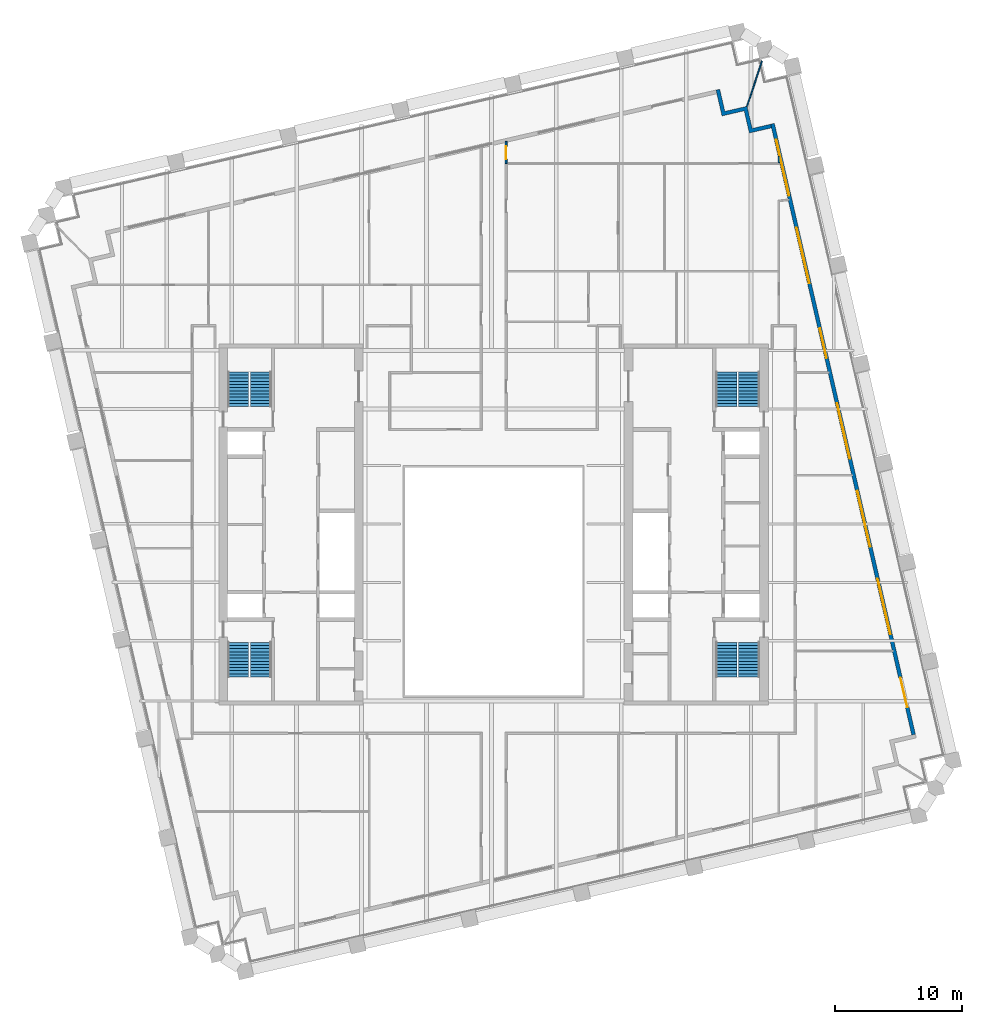
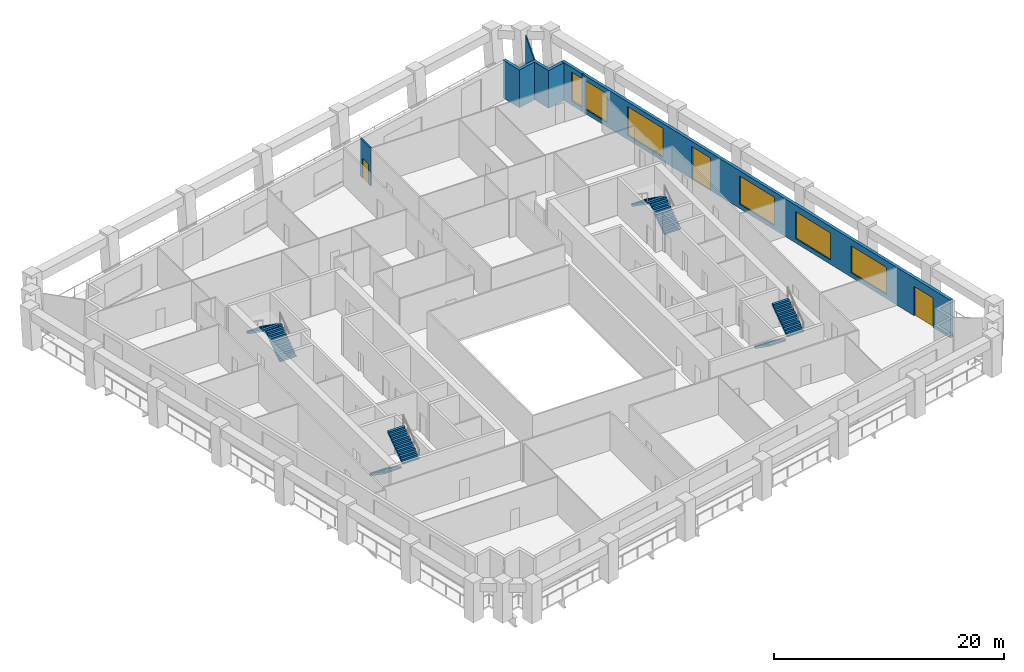
# One storey, part 9 of 11: 8 stair flights, 5 walls, 5 windows, 3 doors, 8 openings, 4 elements without a shape of their own.
"""IFC4 building model written with IfcOpenShell, lengths in metres."""

from ifc_helpers import new_model, si_unit, direction, frame, frame_2d, origin, place, context, subcontext, project, spatial, polyline, rectangle, outline, extrude, material, layer, layer_set, type_object, element, fill, aggregate, save


model = new_model("IFC4")

# Units and contexts
model_context = context("Model", 3, precision=1e-05, world=origin(), true_north=direction((0.0, 1.0)))
body_context = subcontext(model_context, "Body", "Model", "MODEL_VIEW")
ifc_project = project(units=[si_unit("LENGTHUNIT", "METRE"), si_unit("AREAUNIT", "SQUARE_METRE"), si_unit("VOLUMEUNIT", "CUBIC_METRE"), si_unit("PLANEANGLEUNIT", "RADIAN"), si_unit("MASSUNIT", "GRAM", prefix="KILO")], contexts=[model_context])

# Site, building, storey
site_placement = place(None, origin())
site = spatial("IfcSite", under=ifc_project, at=site_placement, CompositionType="ELEMENT")
building_placement = place(site_placement, origin())
building = spatial("IfcBuilding", under=site, at=building_placement, Name="Ogive Exchange Tower", CompositionType="ELEMENT")
storey_placement = place(building_placement, frame((0.0, 0.0, 184.199951171875)))
storey = spatial("IfcBuildingStorey", under=building, at=storey_placement, Name="L40", CompositionType="ELEMENT", Elevation=184.199951171875)

# Wall, opening, door
ifc_material_1 = material(Name="Fire partition EI 60 150")
ifc_layer_1 = layer(ifc_material_1, 0.14990234375)
ifc_layer_set_1 = layer_set([ifc_layer_1], Name="Fire partition EI 60 150")
wall_type_1 = type_object("IfcWallType", Name="Fire partition EI 60 150", PredefinedType="PARTITIONING", material=ifc_layer_set_1)
wall_1_placement = place(storey_placement, frame((0.989990234375, 41.7529296875, 0.0), z_axis=(0.0, 0.0, 1.0), x_axis=(0.0, -1.0, 0.0)))
wall_1 = element("IfcWall", 1, at=wall_1_placement, inside=storey, type_object=wall_type_1, Name="L40-PWL-048", PredefinedType="PARTITIONING", context=body_context, shape_type="SweptSolid", body=[
    extrude(rectangle(XDim=1.7529296875, YDim=0.14990234375, at=frame_2d((0.87646484375, 0.0))), origin(), (0.0, 0.0, 1.0), 4.0),
])
opening_1_placement = place(wall_1_placement, frame((0.403076171875, 0.0, 0.0)))
opening_1 = element("IfcOpeningElement", 2, at=opening_1_placement, cuts=wall_1, Name="Opening L40-I29", PredefinedType="OPENING", context=body_context, shape_type="SweptSolid", body=[
    extrude(rectangle(XDim=1.0, YDim=2.10009765625, at=frame_2d((0.5, 1.050048828125))), frame((0.0, 0.0849609375, 0.0), z_axis=(0.0, -1.0, 0.0), x_axis=(1.0, 0.0, 0.0)), (0.0, 0.0, 1.0), 0.169921875),
])
ifc_material_2 = material(Name="Fire door FD 30S 1000 x 2100")
door_type_1 = type_object("IfcDoorType", Name="Fire door FD 30S 1000 x 2100", OperationType="NOTDEFINED", PredefinedType="DOOR", material=ifc_material_2)
door_1_placement = place(opening_1_placement, origin())
door_1 = element("IfcDoor", 3, at=door_1_placement, inside=storey, type_object=door_type_1, Name="L40-IDR-029", ObjectType="DT3", OperationType="SINGLE_SWING_LEFT", OverallHeight=2.10009765625, OverallWidth=1.0, PredefinedType="DOOR", context=body_context, shape_type="SweptSolid", body=[
    extrude(rectangle(XDim=1.0, YDim=2.10009765625, at=frame_2d((0.5, 1.050048828125))), frame((0.0, 0.02490234375, 0.0), z_axis=(0.0, -1.0, 0.0), x_axis=(1.0, 0.0, 0.0)), (0.0, 0.0, 1.0), 0.050048828125),
])
fill(opening_1, door_1)

# Wall, openings, doors, windows
ifc_material_3 = material(Name="Precast concrete C40/50", Category="concrete")
ifc_layer_2 = layer(ifc_material_3, 0.300048828125)
ifc_layer_set_2 = layer_set([ifc_layer_2], Name="Limestone-faced wall 300")
wall_type_2 = type_object("IfcWallType", Name="Limestone-faced wall 300", PredefinedType="STANDARD", material=ifc_layer_set_2)
wall_2_placement = place(storey_placement, frame((33.1572265625, -5.092041015625, 0.0), z_axis=(0.0, 0.0, 1.0), x_axis=(-0.224950279389, 0.974370243697, 0.0)))
wall_2 = element("IfcWall", 4, at=wall_2_placement, inside=storey, type_object=wall_type_2, Name="External wall E2", PredefinedType="STANDARD", context=body_context, shape_type="SweptSolid", body=[
    extrude(rectangle(XDim=49.499755859375, YDim=0.300048828125, at=frame_2d((24.75, 0.0))), origin(), (0.0, 0.0, 1.0), 4.0),
])
opening_2_placement = place(wall_2_placement, frame((2.20703125, 0.0, 0.0)))
opening_2 = element("IfcOpeningElement", 5, at=opening_2_placement, cuts=wall_2, Name="Opening D1J", PredefinedType="OPENING", context=body_context, shape_type="SweptSolid", body=[
    extrude(rectangle(XDim=2.39990234375, YDim=3.125, at=frame_2d((1.199951171875, 1.5625))), frame((0.0, 0.159912109375, 0.0), z_axis=(0.0, -1.0, 0.0), x_axis=(1.0, 0.0, 0.0)), (0.0, 0.0, 1.0), 0.320068359375),
])
opening_3_placement = place(wall_2_placement, frame((8.121337890625, 0.0, 0.449951171875)))
opening_3 = element("IfcOpeningElement", 6, at=opening_3_placement, cuts=wall_2, Name="Opening W1D", PredefinedType="OPENING", context=body_context, shape_type="SweptSolid", body=[
    extrude(rectangle(XDim=4.5, YDim=2.875, at=frame_2d((2.25, 1.4375))), frame((0.0, 0.159912109375, 0.0), z_axis=(0.0, -1.0, 0.0), x_axis=(1.0, 0.0, 0.0)), (0.0, 0.0, 1.0), 0.320068359375),
])
opening_4_placement = place(wall_2_placement, frame((15.235595703125, 0.0, 0.449951171875)))
opening_4 = element("IfcOpeningElement", 7, at=opening_4_placement, cuts=wall_2, Name="Opening W1D", PredefinedType="OPENING", context=body_context, shape_type="SweptSolid", body=[
    extrude(rectangle(XDim=4.5, YDim=2.875, at=frame_2d((2.25, 1.4375))), frame((0.0, 0.159912109375, 0.0), z_axis=(0.0, -1.0, 0.0), x_axis=(1.0, 0.0, 0.0)), (0.0, 0.0, 1.0), 0.320068359375),
])
opening_5_placement = place(wall_2_placement, frame((22.35009765625, 0.0, 0.449951171875)))
opening_5 = element("IfcOpeningElement", 8, at=opening_5_placement, cuts=wall_2, Name="Opening W1A", PredefinedType="OPENING", context=body_context, shape_type="SweptSolid", body=[
    extrude(rectangle(XDim=4.5, YDim=3.0, at=frame_2d((2.25, 1.5))), frame((0.0, 0.159912109375, 0.0), z_axis=(0.0, -1.0, 0.0), x_axis=(1.0, 0.0, 0.0)), (0.0, 0.0, 1.0), 0.320068359375),
])
opening_6_placement = place(wall_2_placement, frame((30.51416015625, 0.0, 0.0)))
opening_6 = element("IfcOpeningElement", 9, at=opening_6_placement, cuts=wall_2, Name="Opening D1A", PredefinedType="OPENING", context=body_context, shape_type="SweptSolid", body=[
    extrude(rectangle(XDim=2.39990234375, YDim=3.449951171875, at=frame_2d((1.199951171875, 1.72509765625))), frame((0.0, 0.159912109375, 0.0), z_axis=(0.0, -1.0, 0.0), x_axis=(1.0, 0.0, 0.0)), (0.0, 0.0, 1.0), 0.320068359375),
])
opening_7_placement = place(wall_2_placement, frame((36.57861328125, 0.0, 0.449951171875)))
opening_7 = element("IfcOpeningElement", 10, at=opening_7_placement, cuts=wall_2, Name="Opening W1", PredefinedType="OPENING", context=body_context, shape_type="SweptSolid", body=[
    extrude(rectangle(XDim=4.5, YDim=3.050048828125, at=frame_2d((2.25, 1.52490234375))), frame((0.0, 0.159912109375, 0.0), z_axis=(0.0, -1.0, 0.0), x_axis=(1.0, 0.0, 0.0)), (0.0, 0.0, 1.0), 0.320068359375),
])
opening_8_placement = place(wall_2_placement, frame((43.69287109375, 0.0, 0.449951171875)))
opening_8 = element("IfcOpeningElement", 11, at=opening_8_placement, cuts=wall_2, Name="Opening W1", PredefinedType="OPENING", context=body_context, shape_type="SweptSolid", body=[
    extrude(rectangle(XDim=4.5, YDim=3.050048828125, at=frame_2d((2.25, 1.52490234375))), frame((0.0, 0.159912109375, 0.0), z_axis=(0.0, -1.0, 0.0), x_axis=(1.0, 0.0, 0.0)), (0.0, 0.0, 1.0), 0.320068359375),
])
ifc_material_4 = material(Name="Clear glass in bronze frame", Category="glass")
door_type_2 = type_object("IfcDoorType", Name="Sliding loggia door 2400 x 3125", OperationType="DOUBLE_DOOR_SLIDING", PredefinedType="DOOR", material=ifc_material_4)
door_2_placement = place(opening_2_placement, origin())
door_2 = element("IfcDoor", 12, at=door_2_placement, inside=storey, type_object=door_type_2, Name="Loggia door E00", OperationType="DOUBLE_DOOR_SLIDING", OverallHeight=3.125, OverallWidth=2.39990234375, PredefinedType="DOOR", context=body_context, shape_type="SweptSolid", body=[
    extrude(rectangle(XDim=2.39990234375, YDim=3.125, at=frame_2d((1.199951171875, 1.5625))), frame((0.0, 0.02490234375, 0.0), z_axis=(0.0, -1.0, 0.0), x_axis=(1.0, 0.0, 0.0)), (0.0, 0.0, 1.0), 0.050048828125),
])
fill(opening_2, door_2)
door_type_3 = type_object("IfcDoorType", Name="Sliding loggia door 2400 x 3450", OperationType="DOUBLE_DOOR_SLIDING", PredefinedType="DOOR", material=ifc_material_4)
door_3_placement = place(opening_6_placement, origin())
door_3 = element("IfcDoor", 13, at=door_3_placement, inside=storey, type_object=door_type_3, Name="Loggia door E04", OperationType="DOUBLE_DOOR_SLIDING", OverallHeight=3.449951171875, OverallWidth=2.39990234375, PredefinedType="DOOR", context=body_context, shape_type="SweptSolid", body=[
    extrude(rectangle(XDim=2.39990234375, YDim=3.449951171875, at=frame_2d((1.199951171875, 1.72509765625))), frame((0.0, 0.02490234375, 0.0), z_axis=(0.0, -1.0, 0.0), x_axis=(1.0, 0.0, 0.0)), (0.0, 0.0, 1.0), 0.050048828125),
])
fill(opening_6, door_3)
window_type_1 = type_object("IfcWindowType", Name="Twin lancet window 4500 x 2875", PartitioningType="DOUBLE_PANEL_VERTICAL", PredefinedType="WINDOW", material=ifc_material_4)
window_1_placement = place(opening_3_placement, origin())
window_1 = element("IfcWindow", 14, at=window_1_placement, inside=storey, type_object=window_type_1, Name="Window E01", OverallHeight=2.875, OverallWidth=4.5, PartitioningType="DOUBLE_PANEL_VERTICAL", PredefinedType="WINDOW", context=body_context, shape_type="SweptSolid", body=[
    extrude(rectangle(XDim=4.5, YDim=2.875, at=frame_2d((2.25, 1.4375))), frame((0.0, 0.030029296875, 0.0), z_axis=(0.0, -1.0, 0.0), x_axis=(1.0, 0.0, 0.0)), (0.0, 0.0, 1.0), 0.06005859375),
])
fill(opening_3, window_1)
window_2_placement = place(opening_4_placement, origin())
window_2 = element("IfcWindow", 15, at=window_2_placement, inside=storey, type_object=window_type_1, Name="Window E02", OverallHeight=2.875, OverallWidth=4.5, PartitioningType="DOUBLE_PANEL_VERTICAL", PredefinedType="WINDOW", context=body_context, shape_type="SweptSolid", body=[
    extrude(rectangle(XDim=4.5, YDim=2.875, at=frame_2d((2.25, 1.4375))), frame((0.0, 0.030029296875, 0.0), z_axis=(0.0, -1.0, 0.0), x_axis=(1.0, 0.0, 0.0)), (0.0, 0.0, 1.0), 0.06005859375),
])
fill(opening_4, window_2)
window_type_2 = type_object("IfcWindowType", Name="Twin lancet window 4500 x 3000", PartitioningType="DOUBLE_PANEL_VERTICAL", PredefinedType="WINDOW", material=ifc_material_4)
window_3_placement = place(opening_5_placement, origin())
window_3 = element("IfcWindow", 16, at=window_3_placement, inside=storey, type_object=window_type_2, Name="Window E03", OverallHeight=3.0, OverallWidth=4.5, PartitioningType="DOUBLE_PANEL_VERTICAL", PredefinedType="WINDOW", context=body_context, shape_type="SweptSolid", body=[
    extrude(rectangle(XDim=4.5, YDim=3.0, at=frame_2d((2.25, 1.5))), frame((0.0, 0.030029296875, 0.0), z_axis=(0.0, -1.0, 0.0), x_axis=(1.0, 0.0, 0.0)), (0.0, 0.0, 1.0), 0.06005859375),
])
fill(opening_5, window_3)
window_type_3 = type_object("IfcWindowType", Name="Twin lancet window 4500 x 3050", PartitioningType="DOUBLE_PANEL_VERTICAL", PredefinedType="WINDOW", material=ifc_material_4)
window_4_placement = place(opening_7_placement, origin())
window_4 = element("IfcWindow", 17, at=window_4_placement, inside=storey, type_object=window_type_3, Name="Window E05", OverallHeight=3.050048828125, OverallWidth=4.5, PartitioningType="DOUBLE_PANEL_VERTICAL", PredefinedType="WINDOW", context=body_context, shape_type="SweptSolid", body=[
    extrude(rectangle(XDim=4.5, YDim=3.050048828125, at=frame_2d((2.25, 1.52490234375))), frame((0.0, 0.030029296875, 0.0), z_axis=(0.0, -1.0, 0.0), x_axis=(1.0, 0.0, 0.0)), (0.0, 0.0, 1.0), 0.06005859375),
])
fill(opening_7, window_4)
window_5_placement = place(opening_8_placement, origin())
window_5 = element("IfcWindow", 18, at=window_5_placement, inside=storey, type_object=window_type_3, Name="Window E06", OverallHeight=3.050048828125, OverallWidth=4.5, PartitioningType="DOUBLE_PANEL_VERTICAL", PredefinedType="WINDOW", context=body_context, shape_type="SweptSolid", body=[
    extrude(rectangle(XDim=4.5, YDim=3.050048828125, at=frame_2d((2.25, 1.52490234375))), frame((0.0, 0.030029296875, 0.0), z_axis=(0.0, -1.0, 0.0), x_axis=(1.0, 0.0, 0.0)), (0.0, 0.0, 1.0), 0.06005859375),
])
fill(opening_8, window_5)

# Walls
wall_3_placement = place(storey_placement, origin())
element("IfcWall", 19, at=wall_3_placement, inside=storey, type_object=wall_type_2, Name="External corner wall C2", PredefinedType="STANDARD", context=body_context, shape_type="SweptSolid", body=[
    extrude(outline(polyline([(19.78466796875, 44.162109375), (18.03076171875, 43.757080078125), (17.558349609375, 45.80322265625), (17.8505859375, 45.870849609375), (18.255615234375, 44.116943359375), (20.009521484375, 44.52197265625), (20.414306640625, 42.76806640625), (21.8759765625, 43.10546875), (21.943359375, 42.81298828125), (20.189697265625, 42.408203125), (19.78466796875, 44.162109375)])), origin(), (0.0, 0.0, 1.0), 4.0),
])
ifc_material_5 = material(Name="Laminated safety glass in steel frame", Category="steel")
ifc_layer_3 = layer(ifc_material_5, 0.10009765625)
ifc_layer_set_3 = layer_set([ifc_layer_3], Name="Loggia end screen 100")
wall_type_3 = type_object("IfcWallType", Name="Loggia end screen 100", PredefinedType="STANDARD", material=ifc_layer_set_3)
wall_4_placement = place(storey_placement, frame((20.009521484375, 44.52197265625, -0.050048828125), z_axis=(0.0, 0.0, 1.0), x_axis=(0.312333902814, 0.949972385469, 0.0)))
element("IfcWall", 20, at=wall_4_placement, inside=storey, type_object=wall_type_3, Name="Loggia end screen C2", PredefinedType="STANDARD", context=body_context, shape_type="SweptSolid", body=[
    extrude(rectangle(XDim=3.764404296875, YDim=0.10009765625, at=frame_2d((1.88232421875, 0.0))), origin(), (0.0, 0.0, 1.0), 4.050048828125),
])
ifc_material_6 = material(Name="Partition 100 gypsum")
ifc_layer_4 = layer(ifc_material_6, 0.10009765625)
ifc_layer_set_4 = layer_set([ifc_layer_4], Name="Partition 100 gypsum")
wall_type_4 = type_object("IfcWallType", Name="Partition 100 gypsum", PredefinedType="PARTITIONING", material=ifc_layer_set_4)
wall_5_placement = place(storey_placement, frame((22.52001953125, 40.050048828125, 0.0), z_axis=(0.0, 0.0, 1.0), x_axis=(0.0, 1.0, 0.0)))
element("IfcWall", 21, at=wall_5_placement, inside=storey, type_object=wall_type_4, Name="L40-PWL-076", PredefinedType="PARTITIONING", context=body_context, shape_type="SweptSolid", body=[
    extrude(rectangle(XDim=0.510009765625, YDim=0.10009765625, at=frame_2d((0.2548828125, 0.0))), origin(), (0.0, 0.0, 1.0), 4.0),
])

# Stair, stair flights
ifc_material_7 = material(Name="Concrete C40/50", Category="concrete")
stair_type = type_object("IfcStairType", Name="Exit stair 1650 wide", PredefinedType="HALF_TURN_STAIR", material=ifc_material_7)
stair_1_placement = place(storey_placement, origin())
stair_1 = element("IfcStair", 22, at=stair_1_placement, inside=storey, type_object=stair_type, Name="L40 exit stair ST1", PredefinedType="HALF_TURN_STAIR")
stair_flight_type = type_object("IfcStairFlightType", Name="Stair flight 1650 wide", PredefinedType="STRAIGHT", material=ifc_material_7)
stair_flight_1_placement = place(storey_placement, frame((-20.175048828125, 2.199951171875, 0.0), z_axis=(0.0, 0.0, 1.0), x_axis=(0.0, -1.0, 0.0)))
stair_flight_1 = element("IfcStairFlight", 23, at=stair_flight_1_placement, type_object=stair_flight_type, Name="ST1 flight 1", NumberOfRisers=12, NumberOfTreads=11, PredefinedType="STRAIGHT", RiserHeight=0.175, TreadLength=0.25, context=body_context, shape_type="SweptSolid", body=[
    extrude(outline(polyline([(0.0, 0.0), (0.0, 0.175048828125), (0.25, 0.175048828125), (0.25, 0.35009765625), (0.5, 0.35009765625), (0.5, 0.52490234375), (0.75, 0.52490234375), (0.75, 0.699951171875), (1.0, 0.699951171875), (1.0, 0.875), (1.25, 0.875), (1.25, 1.050048828125), (1.5, 1.050048828125), (1.5, 1.22509765625), (1.75, 1.22509765625), (1.75, 1.39990234375), (2.0, 1.39990234375), (2.0, 1.574951171875), (2.25, 1.574951171875), (2.25, 1.75), (2.5, 1.75), (2.5, 1.925048828125), (2.75, 1.925048828125), (2.75, 2.10009765625), (2.75, 1.741943359375), (0.261474609375, 0.0), (0.0, 0.0)])), frame((0.0, 0.824951171875, 0.0), z_axis=(0.0, -1.0, 0.0), x_axis=(1.0, 0.0, 0.0)), (0.0, 0.0, 1.0), 1.64990234375),
])
stair_flight_2_placement = place(storey_placement, frame((-18.375, -0.550048828125, 2.10009765625), z_axis=(0.0, 0.0, 1.0), x_axis=(0.0, 1.0, 0.0)))
stair_flight_2 = element("IfcStairFlight", 24, at=stair_flight_2_placement, type_object=stair_flight_type, Name="ST1 flight 2", NumberOfRisers=12, NumberOfTreads=11, PredefinedType="STRAIGHT", RiserHeight=0.175, TreadLength=0.25, context=body_context, shape_type="SweptSolid", body=[
    extrude(outline(polyline([(0.0, 0.0), (0.0, 0.175048828125), (0.25, 0.175048828125), (0.25, 0.35009765625), (0.5, 0.35009765625), (0.5, 0.52490234375), (0.75, 0.52490234375), (0.75, 0.699951171875), (1.0, 0.699951171875), (1.0, 0.875), (1.25, 0.875), (1.25, 1.050048828125), (1.5, 1.050048828125), (1.5, 1.22509765625), (1.75, 1.22509765625), (1.75, 1.39990234375), (2.0, 1.39990234375), (2.0, 1.574951171875), (2.25, 1.574951171875), (2.25, 1.75), (2.5, 1.75), (2.5, 1.925048828125), (2.75, 1.925048828125), (2.75, 2.10009765625), (2.75, 1.741943359375), (0.261474609375, 0.0), (0.0, 0.0)])), frame((0.0, 0.824951171875, 0.0), z_axis=(0.0, -1.0, 0.0), x_axis=(1.0, 0.0, 0.0)), (0.0, 0.0, 1.0), 1.64990234375),
])
aggregate(stair_1, [stair_flight_1, stair_flight_2])

stair_2_placement = place(storey_placement, origin())
stair_2 = element("IfcStair", 25, at=stair_2_placement, inside=storey, type_object=stair_type, Name="L40 exit stair ST2", PredefinedType="HALF_TURN_STAIR")
stair_flight_3_placement = place(storey_placement, frame((-18.375, 20.800048828125, 0.0), z_axis=(0.0, 0.0, 1.0), x_axis=(0.0, 1.0, 0.0)))
stair_flight_3 = element("IfcStairFlight", 26, at=stair_flight_3_placement, type_object=stair_flight_type, Name="ST2 flight 1", NumberOfRisers=12, NumberOfTreads=11, PredefinedType="STRAIGHT", RiserHeight=0.175, TreadLength=0.25, context=body_context, shape_type="SweptSolid", body=[
    extrude(outline(polyline([(0.0, 0.0), (0.0, 0.175048828125), (0.25, 0.175048828125), (0.25, 0.35009765625), (0.5, 0.35009765625), (0.5, 0.52490234375), (0.75, 0.52490234375), (0.75, 0.699951171875), (1.0, 0.699951171875), (1.0, 0.875), (1.25, 0.875), (1.25, 1.050048828125), (1.5, 1.050048828125), (1.5, 1.22509765625), (1.75, 1.22509765625), (1.75, 1.39990234375), (2.0, 1.39990234375), (2.0, 1.574951171875), (2.25, 1.574951171875), (2.25, 1.75), (2.5, 1.75), (2.5, 1.925048828125), (2.75, 1.925048828125), (2.75, 2.10009765625), (2.75, 1.741943359375), (0.261474609375, 0.0), (0.0, 0.0)])), frame((0.0, 0.824951171875, 0.0), z_axis=(0.0, -1.0, 0.0), x_axis=(1.0, 0.0, 0.0)), (0.0, 0.0, 1.0), 1.64990234375),
])
stair_flight_4_placement = place(storey_placement, frame((-20.175048828125, 23.550048828125, 2.10009765625), z_axis=(0.0, 0.0, 1.0), x_axis=(0.0, -1.0, 0.0)))
stair_flight_4 = element("IfcStairFlight", 27, at=stair_flight_4_placement, type_object=stair_flight_type, Name="ST2 flight 2", NumberOfRisers=12, NumberOfTreads=11, PredefinedType="STRAIGHT", RiserHeight=0.175, TreadLength=0.25, context=body_context, shape_type="SweptSolid", body=[
    extrude(outline(polyline([(0.0, 0.0), (0.0, 0.175048828125), (0.25, 0.175048828125), (0.25, 0.35009765625), (0.5, 0.35009765625), (0.5, 0.52490234375), (0.75, 0.52490234375), (0.75, 0.699951171875), (1.0, 0.699951171875), (1.0, 0.875), (1.25, 0.875), (1.25, 1.050048828125), (1.5, 1.050048828125), (1.5, 1.22509765625), (1.75, 1.22509765625), (1.75, 1.39990234375), (2.0, 1.39990234375), (2.0, 1.574951171875), (2.25, 1.574951171875), (2.25, 1.75), (2.5, 1.75), (2.5, 1.925048828125), (2.75, 1.925048828125), (2.75, 2.10009765625), (2.75, 1.741943359375), (0.261474609375, 0.0), (0.0, 0.0)])), frame((0.0, 0.824951171875, 0.0), z_axis=(0.0, -1.0, 0.0), x_axis=(1.0, 0.0, 0.0)), (0.0, 0.0, 1.0), 1.64990234375),
])
aggregate(stair_2, [stair_flight_3, stair_flight_4])

stair_3_placement = place(storey_placement, origin())
stair_3 = element("IfcStair", 28, at=stair_3_placement, inside=storey, type_object=stair_type, Name="L40 exit stair ST3", PredefinedType="HALF_TURN_STAIR")
stair_flight_5_placement = place(storey_placement, frame((18.375, 2.199951171875, 0.0), z_axis=(0.0, 0.0, 1.0), x_axis=(0.0, -1.0, 0.0)))
stair_flight_5 = element("IfcStairFlight", 29, at=stair_flight_5_placement, type_object=stair_flight_type, Name="ST3 flight 1", NumberOfRisers=12, NumberOfTreads=11, PredefinedType="STRAIGHT", RiserHeight=0.175, TreadLength=0.25, context=body_context, shape_type="SweptSolid", body=[
    extrude(outline(polyline([(0.0, 0.0), (0.0, 0.175048828125), (0.25, 0.175048828125), (0.25, 0.35009765625), (0.5, 0.35009765625), (0.5, 0.52490234375), (0.75, 0.52490234375), (0.75, 0.699951171875), (1.0, 0.699951171875), (1.0, 0.875), (1.25, 0.875), (1.25, 1.050048828125), (1.5, 1.050048828125), (1.5, 1.22509765625), (1.75, 1.22509765625), (1.75, 1.39990234375), (2.0, 1.39990234375), (2.0, 1.574951171875), (2.25, 1.574951171875), (2.25, 1.75), (2.5, 1.75), (2.5, 1.925048828125), (2.75, 1.925048828125), (2.75, 2.10009765625), (2.75, 1.741943359375), (0.261474609375, 0.0), (0.0, 0.0)])), frame((0.0, 0.824951171875, 0.0), z_axis=(0.0, -1.0, 0.0), x_axis=(1.0, 0.0, 0.0)), (0.0, 0.0, 1.0), 1.64990234375),
])
stair_flight_6_placement = place(storey_placement, frame((20.175048828125, -0.550048828125, 2.10009765625), z_axis=(0.0, 0.0, 1.0), x_axis=(0.0, 1.0, 0.0)))
stair_flight_6 = element("IfcStairFlight", 30, at=stair_flight_6_placement, type_object=stair_flight_type, Name="ST3 flight 2", NumberOfRisers=12, NumberOfTreads=11, PredefinedType="STRAIGHT", RiserHeight=0.175, TreadLength=0.25, context=body_context, shape_type="SweptSolid", body=[
    extrude(outline(polyline([(0.0, 0.0), (0.0, 0.175048828125), (0.25, 0.175048828125), (0.25, 0.35009765625), (0.5, 0.35009765625), (0.5, 0.52490234375), (0.75, 0.52490234375), (0.75, 0.699951171875), (1.0, 0.699951171875), (1.0, 0.875), (1.25, 0.875), (1.25, 1.050048828125), (1.5, 1.050048828125), (1.5, 1.22509765625), (1.75, 1.22509765625), (1.75, 1.39990234375), (2.0, 1.39990234375), (2.0, 1.574951171875), (2.25, 1.574951171875), (2.25, 1.75), (2.5, 1.75), (2.5, 1.925048828125), (2.75, 1.925048828125), (2.75, 2.10009765625), (2.75, 1.741943359375), (0.261474609375, 0.0), (0.0, 0.0)])), frame((0.0, 0.824951171875, 0.0), z_axis=(0.0, -1.0, 0.0), x_axis=(1.0, 0.0, 0.0)), (0.0, 0.0, 1.0), 1.64990234375),
])
aggregate(stair_3, [stair_flight_5, stair_flight_6])

stair_4_placement = place(storey_placement, origin())
stair_4 = element("IfcStair", 31, at=stair_4_placement, inside=storey, type_object=stair_type, Name="L40 exit stair ST4", PredefinedType="HALF_TURN_STAIR")
stair_flight_7_placement = place(storey_placement, frame((20.175048828125, 20.800048828125, 0.0), z_axis=(0.0, 0.0, 1.0), x_axis=(0.0, 1.0, 0.0)))
stair_flight_7 = element("IfcStairFlight", 32, at=stair_flight_7_placement, type_object=stair_flight_type, Name="ST4 flight 1", NumberOfRisers=12, NumberOfTreads=11, PredefinedType="STRAIGHT", RiserHeight=0.175, TreadLength=0.25, context=body_context, shape_type="SweptSolid", body=[
    extrude(outline(polyline([(0.0, 0.0), (0.0, 0.175048828125), (0.25, 0.175048828125), (0.25, 0.35009765625), (0.5, 0.35009765625), (0.5, 0.52490234375), (0.75, 0.52490234375), (0.75, 0.699951171875), (1.0, 0.699951171875), (1.0, 0.875), (1.25, 0.875), (1.25, 1.050048828125), (1.5, 1.050048828125), (1.5, 1.22509765625), (1.75, 1.22509765625), (1.75, 1.39990234375), (2.0, 1.39990234375), (2.0, 1.574951171875), (2.25, 1.574951171875), (2.25, 1.75), (2.5, 1.75), (2.5, 1.925048828125), (2.75, 1.925048828125), (2.75, 2.10009765625), (2.75, 1.741943359375), (0.261474609375, 0.0), (0.0, 0.0)])), frame((0.0, 0.824951171875, 0.0), z_axis=(0.0, -1.0, 0.0), x_axis=(1.0, 0.0, 0.0)), (0.0, 0.0, 1.0), 1.64990234375),
])
stair_flight_8_placement = place(storey_placement, frame((18.375, 23.550048828125, 2.10009765625), z_axis=(0.0, 0.0, 1.0), x_axis=(0.0, -1.0, 0.0)))
stair_flight_8 = element("IfcStairFlight", 33, at=stair_flight_8_placement, type_object=stair_flight_type, Name="ST4 flight 2", NumberOfRisers=12, NumberOfTreads=11, PredefinedType="STRAIGHT", RiserHeight=0.175, TreadLength=0.25, context=body_context, shape_type="SweptSolid", body=[
    extrude(outline(polyline([(0.0, 0.0), (0.0, 0.175048828125), (0.25, 0.175048828125), (0.25, 0.35009765625), (0.5, 0.35009765625), (0.5, 0.52490234375), (0.75, 0.52490234375), (0.75, 0.699951171875), (1.0, 0.699951171875), (1.0, 0.875), (1.25, 0.875), (1.25, 1.050048828125), (1.5, 1.050048828125), (1.5, 1.22509765625), (1.75, 1.22509765625), (1.75, 1.39990234375), (2.0, 1.39990234375), (2.0, 1.574951171875), (2.25, 1.574951171875), (2.25, 1.75), (2.5, 1.75), (2.5, 1.925048828125), (2.75, 1.925048828125), (2.75, 2.10009765625), (2.75, 1.741943359375), (0.261474609375, 0.0), (0.0, 0.0)])), frame((0.0, 0.824951171875, 0.0), z_axis=(0.0, -1.0, 0.0), x_axis=(1.0, 0.0, 0.0)), (0.0, 0.0, 1.0), 1.64990234375),
])
aggregate(stair_4, [stair_flight_7, stair_flight_8])

save(model, "model.ifc")
